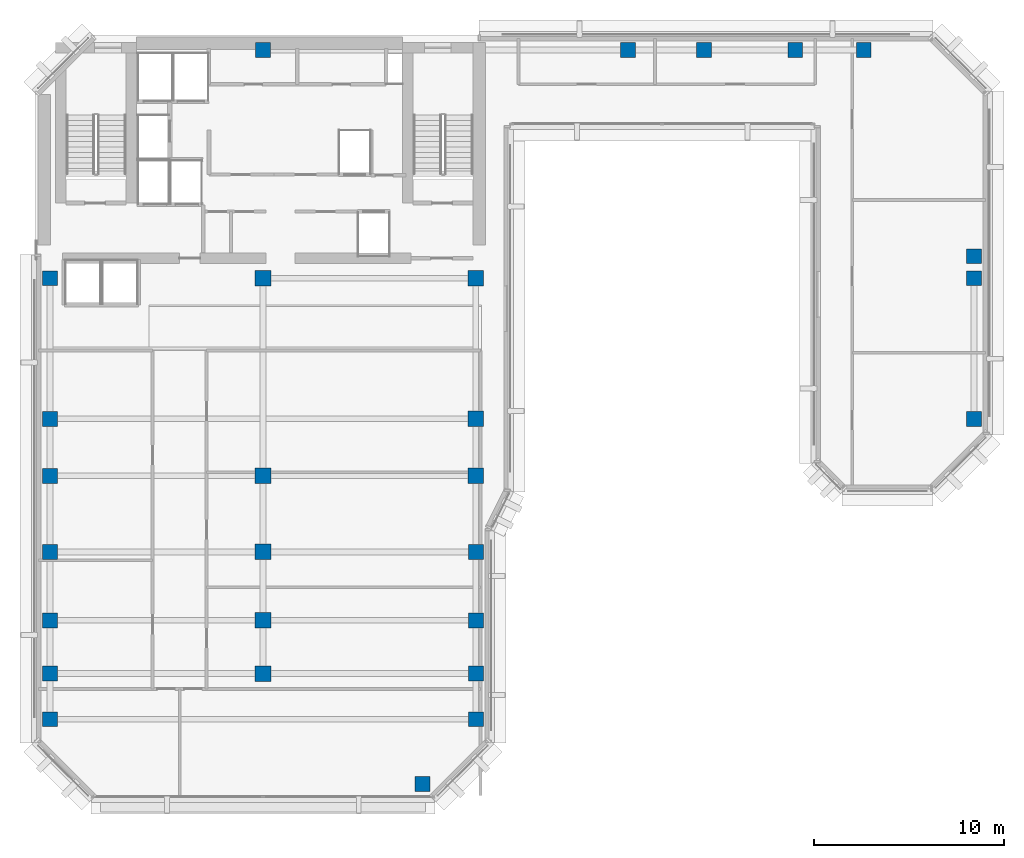
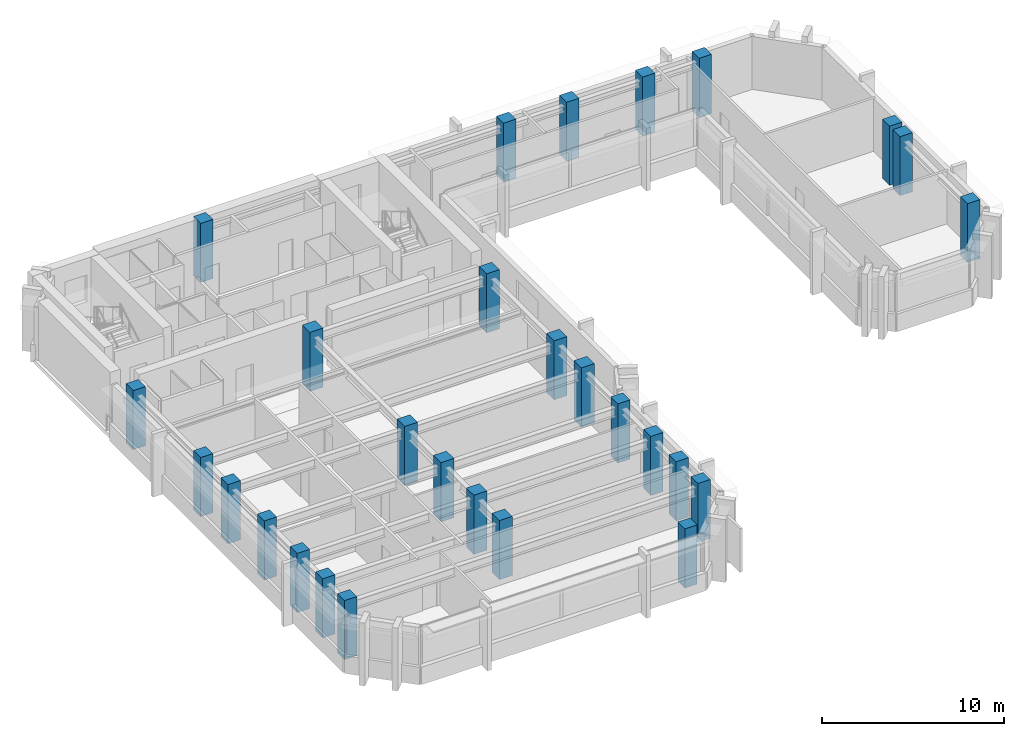
# One storey, part 1 of 11: 28 columns.
"""IFC4 building model written with IfcOpenShell, lengths in metres."""

from ifc_helpers import new_model, si_unit, direction, frame, origin, origin_2d, place, context, subcontext, project, spatial, rectangle, extrude, material, material_profile, profile_set, type_object, element, save


model = new_model("IFC4")

# Units and contexts
model_context = context("Model", 3, precision=1e-05, world=origin(), true_north=direction((0.0, 1.0)))
body_context = subcontext(model_context, "Body", "Model", "MODEL_VIEW")
ifc_project = project(units=[si_unit("LENGTHUNIT", "METRE"), si_unit("AREAUNIT", "SQUARE_METRE"), si_unit("VOLUMEUNIT", "CUBIC_METRE"), si_unit("PLANEANGLEUNIT", "RADIAN"), si_unit("MASSUNIT", "GRAM", prefix="KILO")], contexts=[model_context])

# Site, building, storey
site_placement = place(None, origin())
site = spatial("IfcSite", under=ifc_project, at=site_placement, CompositionType="ELEMENT")
building_placement = place(site_placement, origin())
building = spatial("IfcBuilding", under=site, at=building_placement, Name="Kefirva Bronze Tower", CompositionType="ELEMENT")
storey_placement = place(building_placement, frame((0.0, 0.0, 247.5)))
storey = spatial("IfcBuildingStorey", under=building, at=storey_placement, Name="L60", CompositionType="ELEMENT", Elevation=247.5)

# Columns
ifc_material = material(Name="Concrete C50/60", Category="concrete")
ifc_material_profile_1 = material_profile(ifc_material, rectangle(XDim=0.780029296875, YDim=0.780029296875, at=origin_2d()), Name="RC 780x780")
ifc_profile_set_1 = profile_set([ifc_material_profile_1], Name="Concrete C50/60")
column_type_1 = type_object("IfcColumnType", Name="RC Column 780x780 Ext", PredefinedType="COLUMN", material=ifc_profile_set_1)
for number, where, z_axis, x_axis, name in (
    (1, (0.800048828125, 10.0, 0.0), (0.0, 0.0, 1.0), (1.0, 0.0, 0.0), "L60 Column C008_100"),
    (2, (0.800048828125, 12.39990234375, 0.0), (0.0, 0.0, 1.0), (1.0, 0.0, 0.0), "L60 Column C008_124"),
    (3, (0.800048828125, 15.199951171875, 0.0), (0.0, 0.0, 1.0), (1.0, 0.0, 0.0), "L60 Column C008_152"),
    (4, (0.800048828125, 18.800048828125, 0.0), (0.0, 0.0, 1.0), (1.0, 0.0, 0.0), "L60 Column C008_188"),
    (5, (0.800048828125, 22.800048828125, 0.0), (0.0, 0.0, 1.0), (1.0, 0.0, 0.0), "L60 Column C008_228"),
    (6, (0.800048828125, 25.800048828125, 0.0), (0.0, 0.0, 1.0), (1.0, 0.0, 0.0), "L60 Column C008_258"),
    (7, (0.800048828125, 33.199951171875, 0.0), (0.0, 0.0, 1.0), (1.0, 0.0, 0.0), "L60 Column C008_332"),
    (8, (12.0, 45.199951171875, 0.0), (0.0, 0.0, 1.0), (1.0, 0.0, 0.0), "L60 Column C120_452"),
    (9, (20.39990234375, 6.60009765625, 0.0), (0.0, 0.0, 1.0), (1.0, 0.0, 0.0), "L60 Column C204_066"),
    (10, (23.199951171875, 10.0, 0.0), (0.0, 0.0, 1.0), (1.0, 0.0, 0.0), "L60 Column C232_100"),
    (11, (23.199951171875, 12.39990234375, 0.0), (0.0, 0.0, 1.0), (1.0, 0.0, 0.0), "L60 Column C232_124"),
    (12, (23.199951171875, 15.199951171875, 0.0), (0.0, 0.0, 1.0), (1.0, 0.0, 0.0), "L60 Column C232_152"),
    (13, (23.199951171875, 18.800048828125, 0.0), (0.0, 0.0, 1.0), (1.0, 0.0, 0.0), "L60 Column C232_188"),
    (14, (31.199951171875, 45.199951171875, 0.0), (0.0, 0.0, 1.0), (1.0, 0.0, 0.0), "L60 Column C312_452"),
    (15, (35.199951171875, 45.199951171875, 0.0), (0.0, 0.0, 1.0), (1.0, 0.0, 0.0), "L60 Column C352_452"),
    (16, (40.0, 45.199951171875, 0.0), (0.0, 0.0, 1.0), (1.0, 0.0, 0.0), "L60 Column C400_452"),
    (17, (43.60009765625, 45.199951171875, 0.0), (0.0, 0.0, 1.0), (1.0, 0.0, 0.0), "L60 Column C436_452"),
    (18, (49.39990234375, 25.800048828125, 0.0), (0.0, 0.0, 1.0), (1.0, 0.0, 0.0), "L60 Column C494_258"),
    (19, (49.39990234375, 33.199951171875, 0.0), (0.0, 0.0, 1.0), (1.0, 0.0, 0.0), "L60 Column C494_332"),
    (20, (49.39990234375, 34.35009765625, 0.0), (0.0, 0.0, 1.0), (1.0, 0.0, 0.0), "L60 Column C494_344"),
):
    element("IfcColumn", number, at=place(storey_placement, frame(where, z_axis=z_axis, x_axis=x_axis)), inside=storey, type_object=column_type_1, Name=name, PredefinedType="COLUMN", context=body_context, shape_type="SweptSolid", body=[
        extrude(rectangle(XDim=0.780029296875, YDim=0.780029296875, at=origin_2d()), origin(), (0.0, 0.0, 1.0), 3.9599609375),
    ])
ifc_material_profile_2 = material_profile(ifc_material, rectangle(XDim=0.820068359375, YDim=0.820068359375, at=origin_2d()), Name="RC 820x820")
ifc_profile_set_2 = profile_set([ifc_material_profile_2], Name="Concrete C50/60")
column_type_2 = type_object("IfcColumnType", Name="RC Column 820x820 Int", PredefinedType="COLUMN", material=ifc_profile_set_2)
for number, where, z_axis, x_axis, name in (
    (21, (12.0, 12.39990234375, 0.0), (0.0, 0.0, 1.0), (1.0, 0.0, 0.0), "L60 Column C120_124"),
    (22, (12.0, 15.199951171875, 0.0), (0.0, 0.0, 1.0), (1.0, 0.0, 0.0), "L60 Column C120_152"),
    (23, (12.0, 18.800048828125, 0.0), (0.0, 0.0, 1.0), (1.0, 0.0, 0.0), "L60 Column C120_188"),
    (24, (12.0, 22.800048828125, 0.0), (0.0, 0.0, 1.0), (1.0, 0.0, 0.0), "L60 Column C120_228"),
    (25, (12.0, 33.199951171875, 0.0), (0.0, 0.0, 1.0), (1.0, 0.0, 0.0), "L60 Column C120_332"),
    (26, (23.199951171875, 22.800048828125, 0.0), (0.0, 0.0, 1.0), (1.0, 0.0, 0.0), "L60 Column C232_228"),
    (27, (23.199951171875, 25.800048828125, 0.0), (0.0, 0.0, 1.0), (1.0, 0.0, 0.0), "L60 Column C232_258"),
    (28, (23.199951171875, 33.199951171875, 0.0), (0.0, 0.0, 1.0), (1.0, 0.0, 0.0), "L60 Column C232_332"),
):
    element("IfcColumn", number, at=place(storey_placement, frame(where, z_axis=z_axis, x_axis=x_axis)), inside=storey, type_object=column_type_2, Name=name, PredefinedType="COLUMN", context=body_context, shape_type="SweptSolid", body=[
        extrude(rectangle(XDim=0.820068359375, YDim=0.820068359375, at=origin_2d()), origin(), (0.0, 0.0, 1.0), 3.9599609375),
    ])

save(model, "model.ifc")
